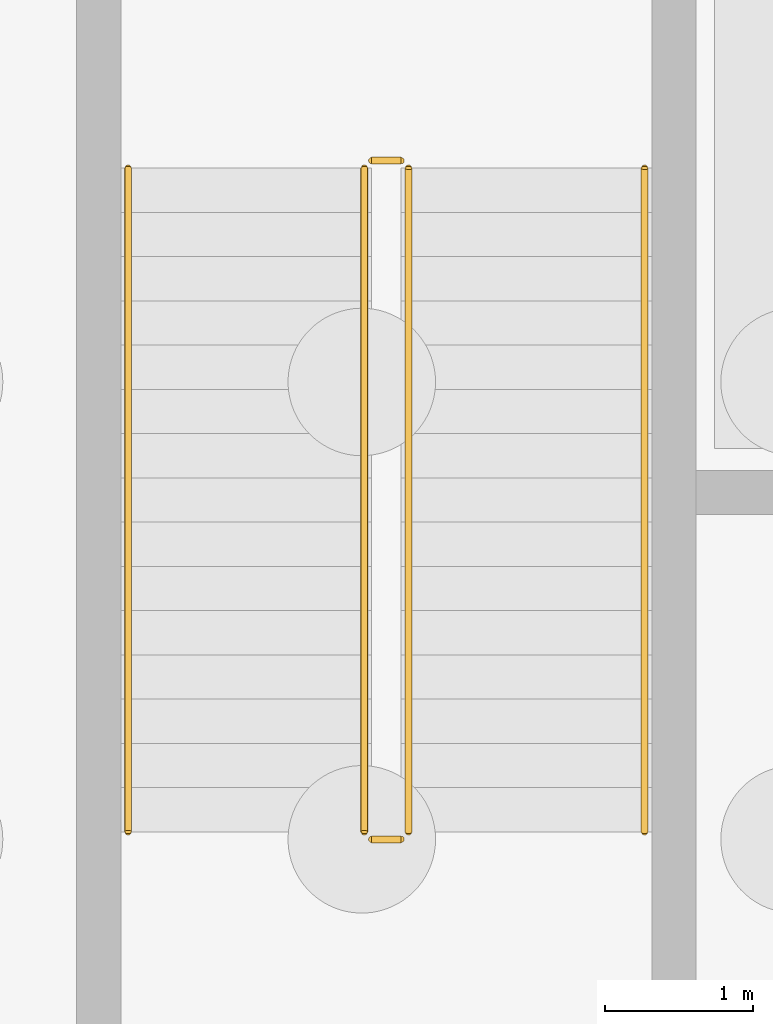
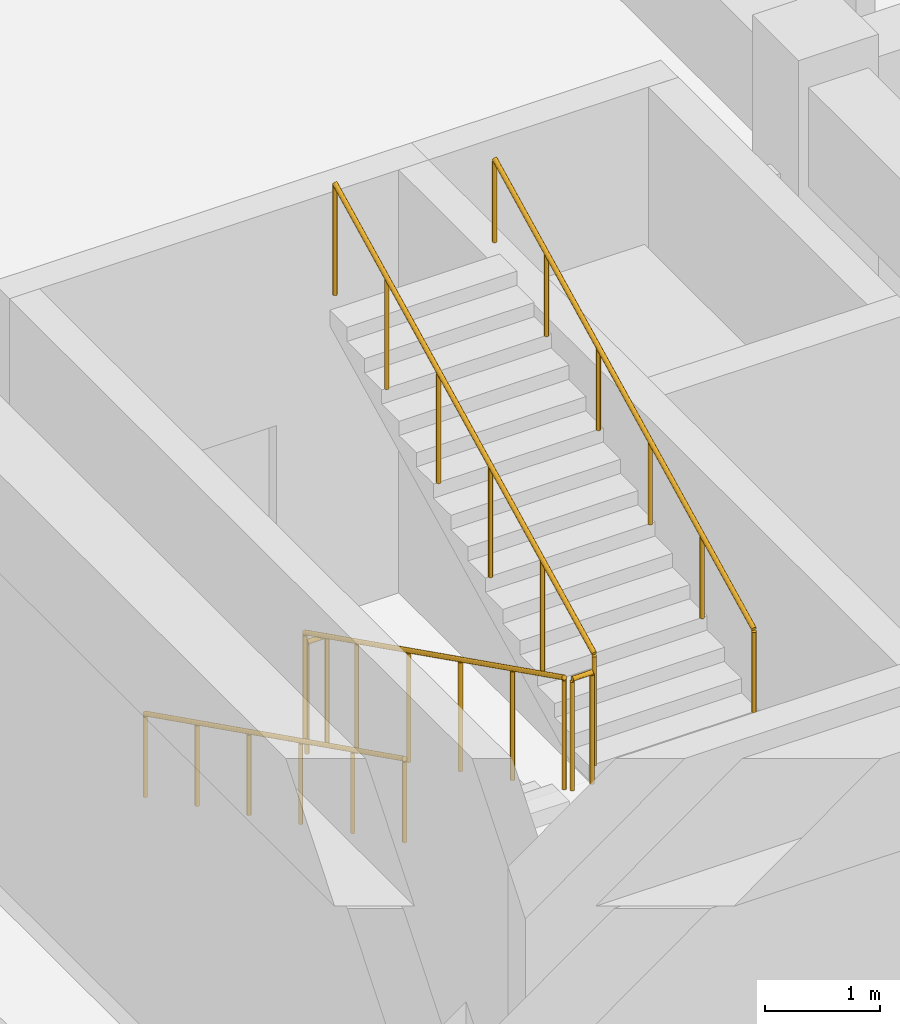
# One storey, part 15 of 16: 6 railings.
"""IFC4 building model written with IfcOpenShell, lengths in metres."""

import ifcopenshell
import ifcopenshell.guid

model = None  # the IFC model being written
_history = None  # IfcOwnerHistory: only IFC2X3 demands one
_inside = {}  # id of a spatial element -> (the spatial element, [elements in it])
_under = {}  # id of a project, library or spatial element -> (it, [spatial elements below it])
_declared = {}  # id of a project -> (the project, [libraries it declares])
_typed = {}  # id of a type object -> (the type object, [elements of that type])
_made_of = {}  # id of a material, layer set ... -> (it, [elements and type objects made of it])


def new_model(schema):
    """Start an empty IFC model of exactly this schema.

    Asked for "IFC4X3", IfcOpenShell would pick the latest addendum, in which some entities
    have other attributes; the version numbers below select the first issue.
    IFC2X3 requires an IfcOwnerHistory on every rooted entity: one is made here for all.
    """
    global model, _history
    if schema == "IFC4X3":
        model = ifcopenshell.file(schema_version=(4, 3, 0, 0))
    else:
        model = ifcopenshell.file(schema=schema)
    _inside.clear()
    _under.clear()
    _declared.clear()
    _typed.clear()
    _made_of.clear()
    _history = None
    if model.schema == "IFC2X3":
        org = make("IfcOrganization", Name="unknown")
        user = make(
            "IfcPersonAndOrganization",
            ThePerson=make("IfcPerson", FamilyName="unknown"),
            TheOrganization=org,
        )
        app = make(
            "IfcApplication",
            ApplicationDeveloper=org,
            Version="unknown",
            ApplicationFullName="unknown",
            ApplicationIdentifier="unknown",
        )
        _history = make(
            "IfcOwnerHistory",
            OwningUser=user,
            OwningApplication=app,
            ChangeAction="ADDED",
            CreationDate=0,
        )
    return model


def make(cls, **values):
    """One entity of the class cls with the attributes given. An attribute that is None is left unset."""
    return model.create_entity(
        cls, **{name: value for name, value in values.items() if value is not None}
    )


def rooted(cls, **values):
    """An entity with a GlobalId (a new one), such as an element, a storey or a relation."""
    return make(cls, GlobalId=ifcopenshell.guid.new(), OwnerHistory=_history, **values)


def si_unit(unit_type, name, prefix=None):
    """IfcSIUnit, for example si_unit("LENGTHUNIT", "METRE", prefix="MILLI")."""
    return make("IfcSIUnit", UnitType=unit_type, Prefix=prefix, Name=name)


def assignment(units):
    """IfcUnitAssignment: the units of a project."""
    return None if units is None else make("IfcUnitAssignment", Units=units)


def point(xyz):
    """IfcCartesianPoint."""
    return None if xyz is None else make("IfcCartesianPoint", Coordinates=xyz)


def direction(xyz):
    """IfcDirection."""
    return None if xyz is None else make("IfcDirection", DirectionRatios=xyz)


def frame(location, z_axis=None, x_axis=None):
    """IfcAxis2Placement3D, a coordinate frame: its origin and axes. An axis left out is left unset."""
    return make(
        "IfcAxis2Placement3D",
        Location=point(location),
        Axis=direction(z_axis),
        RefDirection=direction(x_axis),
    )


def frame_2d(location, x_axis=None):
    """IfcAxis2Placement2D, a coordinate frame in the plane: its origin and x axis."""
    return make(
        "IfcAxis2Placement2D", Location=point(location), RefDirection=direction(x_axis)
    )


def origin():
    """The frame at (0, 0, 0) with its axes left unset."""
    return frame((0.0, 0.0, 0.0))


def origin_2d():
    """The frame at (0, 0) in the plane with its x axis left unset."""
    return frame_2d((0.0, 0.0))


def place(relative_to, where):
    """IfcLocalPlacement: puts the frame where relative to a parent placement (None: the world)."""
    return make(
        "IfcLocalPlacement", PlacementRelTo=relative_to, RelativePlacement=where
    )


def context(
    kind, dimensions, precision=None, world=None, true_north=None, identifier=None
):
    """IfcGeometricRepresentationContext, for example the 3D "Model" context."""
    return make(
        "IfcGeometricRepresentationContext",
        ContextIdentifier=identifier,
        ContextType=kind,
        CoordinateSpaceDimension=dimensions,
        Precision=precision,
        WorldCoordinateSystem=world,
        TrueNorth=true_north,
    )


def subcontext(parent, identifier, kind, view, scale=None):
    """IfcGeometricRepresentationSubContext, for example "Body" below "Model"."""
    return make(
        "IfcGeometricRepresentationSubContext",
        ContextIdentifier=identifier,
        ContextType=kind,
        ParentContext=parent,
        TargetScale=scale,
        TargetView=view,
    )


def project(units=None, contexts=None):
    """IfcProject with its units and contexts."""
    return rooted(
        "IfcProject",
        Name="project",
        RepresentationContexts=contexts,
        UnitsInContext=assignment(units),
    )


def spatial(cls, under=None, at=None, **own):
    """A site, building, storey or space (cls), placed at a placement, below another one or the project."""
    s = rooted(cls, ObjectPlacement=at, **own)
    if under is not None:
        _under.setdefault(under.id(), (under, []))[1].append(s)
    return s


def profile(cls, at=None, kind="AREA", **sizes):
    """A parametric profile (cls). Its sizes go by their IFC names, for example OverallWidth=200.0."""
    return make(cls, ProfileType=kind, Position=at, **sizes)


def circle(**sizes):
    """IfcCircleProfileDef."""
    return profile("IfcCircleProfileDef", **sizes)


def extrude(swept, where, along, depth):
    """IfcExtrudedAreaSolid: the profile swept, set in the frame where, extruded along a direction by depth."""
    return make(
        "IfcExtrudedAreaSolid",
        SweptArea=swept,
        Position=where,
        ExtrudedDirection=direction(along),
        Depth=depth,
    )


def shape(context_of_items, identifier, shape_type, items):
    """IfcShapeRepresentation: the items that make up one representation, for example the "Body"."""
    return make(
        "IfcShapeRepresentation",
        ContextOfItems=context_of_items,
        RepresentationIdentifier=identifier,
        RepresentationType=shape_type,
        Items=items,
    )


def material(Name=None, Category=None):
    """IfcMaterial."""
    return make("IfcMaterial", Name=Name, Category=Category)


def made_of(thing, what):
    """Note that an element or type object is made of a material, layer set ...; save() writes the relation."""
    if what is not None:
        _made_of.setdefault(what.id(), (what, []))[1].append(thing)
    return thing


def type_object(cls, material=None, **own):
    """A type object (cls), such as IfcWallType, which elements share."""
    return made_of(rooted(cls, **own), material)


def element(
    cls,
    number,
    at=None,
    inside=None,
    cuts=None,
    type_object=None,
    material=None,
    context=None,
    identifier="Body",
    shape_type=None,
    held_by="IfcProductDefinitionShape",
    body=None,
    shapes=None,
    **own,
):
    """One element of the class cls, such as IfcWall. Its Tag is "e" and its number.

    at: its placement. inside: the storey or other place that contains it. cuts: it is an
    opening in that element (IfcRelVoidsElement). A single representation is given by context,
    identifier, shape_type and body (its items); several are given by shapes. held_by: the class
    of the entity that holds the representations. save() writes the other relations.
    """
    e = rooted(cls, Tag="e%d" % number, ObjectPlacement=at, **own)
    if body is not None:
        shapes = [shape(context, identifier, shape_type, body)]
    if shapes is not None:
        e.Representation = make(held_by, Representations=shapes)
    if inside is not None:
        _inside.setdefault(inside.id(), (inside, []))[1].append(e)
    if cuts is not None:
        rooted(
            "IfcRelVoidsElement", RelatingBuildingElement=cuts, RelatedOpeningElement=e
        )
    if type_object is not None:
        _typed.setdefault(type_object.id(), (type_object, []))[1].append(e)
    return made_of(e, material)


def aggregate(whole, parts):
    """IfcRelAggregates: a whole, such as a stair, and the parts it consists of."""
    return rooted("IfcRelAggregates", RelatingObject=whole, RelatedObjects=parts)


def save(model, path):
    """Write the relations noted so far, then the file.

    IfcRelAggregates (storeys below a building ...), IfcRelContainedInSpatialStructure (elements
    in a storey), IfcRelDefinesByType, IfcRelAssociatesMaterial and IfcRelDeclares: one each for
    every whole, place, type object, material and project.
    """
    for whole, parts in _under.values():
        aggregate(whole, parts)
    for where, things in _inside.values():
        rooted(
            "IfcRelContainedInSpatialStructure",
            RelatedElements=things,
            RelatingStructure=where,
        )
    for kind, things in _typed.values():
        rooted("IfcRelDefinesByType", RelatedObjects=things, RelatingType=kind)
    for what, things in _made_of.values():
        rooted("IfcRelAssociatesMaterial", RelatedObjects=things, RelatingMaterial=what)
    for by, libraries in _declared.values():
        rooted("IfcRelDeclares", RelatingContext=by, RelatedDefinitions=libraries)
    model.write(path)


model = new_model("IFC4")

# Units and contexts
model_context = context("Model", 3, precision=1e-05, world=origin(), true_north=direction((0.0, 1.0)))
body_context = subcontext(model_context, "Body", "Model", "MODEL_VIEW")
ifc_project = project(units=[si_unit("LENGTHUNIT", "METRE"), si_unit("AREAUNIT", "SQUARE_METRE"), si_unit("VOLUMEUNIT", "CUBIC_METRE"), si_unit("PLANEANGLEUNIT", "RADIAN"), si_unit("MASSUNIT", "GRAM", prefix="KILO")], contexts=[model_context])

# Site, building, storey
site_placement = place(None, origin())
site = spatial("IfcSite", under=ifc_project, at=site_placement, CompositionType="ELEMENT")
building_placement = place(site_placement, origin())
building = spatial("IfcBuilding", under=site, at=building_placement, Name="Bozkorgan Art Gallery", CompositionType="ELEMENT")
storey_placement = place(building_placement, frame((0.0, 0.0, -4.800048828125)))
storey = spatial("IfcBuildingStorey", under=building, at=storey_placement, Name="B1", CompositionType="ELEMENT", Elevation=-4.800048828125)

# Railings
ifc_material = material(Name="Steel S355J2", Category="steel")
railing_type_1 = type_object("IfcRailingType", Name="RAIL-GRD-115", PredefinedType="GUARDRAIL", material=ifc_material)
railing_1_placement = place(storey_placement, frame((140.050048828125, 82.949951171875, 0.150146484375)))
element("IfcRailing", 1, at=railing_1_placement, inside=storey, type_object=railing_type_1, Name="B1 ST3 stair guard 1", PredefinedType="GUARDRAIL", context=body_context, shape_type="SweptSolid", body=[
    extrude(circle(Radius=0.02392578125, at=origin_2d()), frame((0.0, 0.0, 1.17578125), z_axis=(0.0, -0.894427191, 0.4472135955), x_axis=(1.0, 0.0, 0.0)), (0.0, 0.0, 1.0), 5.03125),
    extrude(circle(Radius=0.02099609375, at=origin_2d()), origin(), (0.0, 0.0, 1.0), 1.15185546875),
    extrude(circle(Radius=0.02099609375, at=origin_2d()), frame((0.0, -0.89990234375, 0.449951171875)), (0.0, 0.0, 1.0), 1.15185546875),
    extrude(circle(Radius=0.02099609375, at=origin_2d()), frame((0.0, -1.800048828125, 0.89990234375)), (0.0, 0.0, 1.0), 1.15185546875),
    extrude(circle(Radius=0.02099609375, at=origin_2d()), frame((0.0, -2.699951171875, 1.35009765625)), (0.0, 0.0, 1.0), 1.15185546875),
    extrude(circle(Radius=0.02099609375, at=origin_2d()), frame((0.0, -3.60009765625, 1.800048828125)), (0.0, 0.0, 1.0), 1.15185546875),
    extrude(circle(Radius=0.02099609375, at=origin_2d()), frame((0.0, -4.5, 2.25)), (0.0, 0.0, 1.0), 1.15185546875),
])
railing_2_placement = place(storey_placement, frame((140.10009765625, 78.39990234375, 2.400146484375)))
element("IfcRailing", 2, at=railing_2_placement, inside=storey, type_object=railing_type_1, Name="B1 ST3 stair guard 2", PredefinedType="GUARDRAIL", context=body_context, shape_type="SweptSolid", body=[
    extrude(circle(Radius=0.02392578125, at=origin_2d()), frame((0.0, 0.0, 1.17578125), z_axis=(1.0, 0.0, 0.0), x_axis=(0.0, 1.0, 0.0)), (0.0, 0.0, 1.0), 0.199951171875),
    extrude(circle(Radius=0.02099609375, at=origin_2d()), origin(), (0.0, 0.0, 1.0), 1.15185546875),
    extrude(circle(Radius=0.02099609375, at=origin_2d()), frame((0.199951171875, 0.0, 0.0)), (0.0, 0.0, 1.0), 1.15185546875),
])
railing_3_placement = place(storey_placement, frame((140.35009765625, 78.449951171875, 2.550048828125)))
element("IfcRailing", 3, at=railing_3_placement, inside=storey, type_object=railing_type_1, Name="B1 ST3 stair guard 3", PredefinedType="GUARDRAIL", context=body_context, shape_type="SweptSolid", body=[
    extrude(circle(Radius=0.02392578125, at=origin_2d()), frame((0.0, 0.0, 1.17578125), z_axis=(0.0, 0.894427191, 0.4472135955), x_axis=(-1.0, 0.0, 0.0)), (0.0, 0.0, 1.0), 5.03125),
    extrude(circle(Radius=0.02099609375, at=origin_2d()), origin(), (0.0, 0.0, 1.0), 1.15185546875),
    extrude(circle(Radius=0.02099609375, at=origin_2d()), frame((0.0, 0.89990234375, 0.449951171875)), (0.0, 0.0, 1.0), 1.15185546875),
    extrude(circle(Radius=0.02099609375, at=origin_2d()), frame((0.0, 1.800048828125, 0.89990234375)), (0.0, 0.0, 1.0), 1.15185546875),
    extrude(circle(Radius=0.02099609375, at=origin_2d()), frame((0.0, 2.699951171875, 1.35009765625)), (0.0, 0.0, 1.0), 1.15185546875),
    extrude(circle(Radius=0.02099609375, at=origin_2d()), frame((0.0, 3.60009765625, 1.800048828125)), (0.0, 0.0, 1.0), 1.15185546875),
    extrude(circle(Radius=0.02099609375, at=origin_2d()), frame((0.0, 4.5, 2.25)), (0.0, 0.0, 1.0), 1.15185546875),
])
railing_4_placement = place(storey_placement, frame((140.10009765625, 83.0, 0.0)))
element("IfcRailing", 4, at=railing_4_placement, inside=storey, type_object=railing_type_1, Name="B1 ST3 stair guard 4", PredefinedType="GUARDRAIL", context=body_context, shape_type="SweptSolid", body=[
    extrude(circle(Radius=0.02392578125, at=origin_2d()), frame((0.0, 0.0, 1.17578125), z_axis=(1.0, 0.0, 0.0), x_axis=(0.0, 1.0, 0.0)), (0.0, 0.0, 1.0), 0.199951171875),
    extrude(circle(Radius=0.02099609375, at=origin_2d()), origin(), (0.0, 0.0, 1.0), 1.15185546875),
    extrude(circle(Radius=0.02099609375, at=origin_2d()), frame((0.199951171875, 0.0, 0.0)), (0.0, 0.0, 1.0), 1.15185546875),
])
railing_type_2 = type_object("IfcRailingType", Name="RAIL-HND-092", PredefinedType="HANDRAIL", material=ifc_material)
railing_5_placement = place(storey_placement, frame((138.449951171875, 82.949951171875, 0.150146484375)))
element("IfcRailing", 5, at=railing_5_placement, inside=storey, type_object=railing_type_2, Name="B1 ST3 stair handrail 1", PredefinedType="HANDRAIL", context=body_context, shape_type="SweptSolid", body=[
    extrude(circle(Radius=0.02392578125, at=origin_2d()), frame((0.0, 0.0, 0.8759765625), z_axis=(0.0, -0.894427191, 0.4472135955), x_axis=(1.0, 0.0, 0.0)), (0.0, 0.0, 1.0), 5.03125),
    extrude(circle(Radius=0.02099609375, at=origin_2d()), origin(), (0.0, 0.0, 1.0), 0.851806640625),
    extrude(circle(Radius=0.02099609375, at=origin_2d()), frame((0.0, -0.89990234375, 0.449951171875)), (0.0, 0.0, 1.0), 0.851806640625),
    extrude(circle(Radius=0.02099609375, at=origin_2d()), frame((0.0, -1.800048828125, 0.89990234375)), (0.0, 0.0, 1.0), 0.851806640625),
    extrude(circle(Radius=0.02099609375, at=origin_2d()), frame((0.0, -2.699951171875, 1.35009765625)), (0.0, 0.0, 1.0), 0.851806640625),
    extrude(circle(Radius=0.02099609375, at=origin_2d()), frame((0.0, -3.60009765625, 1.800048828125)), (0.0, 0.0, 1.0), 0.851806640625),
    extrude(circle(Radius=0.02099609375, at=origin_2d()), frame((0.0, -4.5, 2.25)), (0.0, 0.0, 1.0), 0.851806640625),
])
railing_6_placement = place(storey_placement, frame((141.949951171875, 78.449951171875, 2.550048828125)))
element("IfcRailing", 6, at=railing_6_placement, inside=storey, type_object=railing_type_2, Name="B1 ST3 stair handrail 2", PredefinedType="HANDRAIL", context=body_context, shape_type="SweptSolid", body=[
    extrude(circle(Radius=0.02392578125, at=origin_2d()), frame((0.0, 0.0, 0.8759765625), z_axis=(0.0, 0.894427191, 0.4472135955), x_axis=(-1.0, 0.0, 0.0)), (0.0, 0.0, 1.0), 5.03125),
    extrude(circle(Radius=0.02099609375, at=origin_2d()), origin(), (0.0, 0.0, 1.0), 0.851806640625),
    extrude(circle(Radius=0.02099609375, at=origin_2d()), frame((0.0, 0.89990234375, 0.449951171875)), (0.0, 0.0, 1.0), 0.851806640625),
    extrude(circle(Radius=0.02099609375, at=origin_2d()), frame((0.0, 1.800048828125, 0.89990234375)), (0.0, 0.0, 1.0), 0.851806640625),
    extrude(circle(Radius=0.02099609375, at=origin_2d()), frame((0.0, 2.699951171875, 1.35009765625)), (0.0, 0.0, 1.0), 0.851806640625),
    extrude(circle(Radius=0.02099609375, at=origin_2d()), frame((0.0, 3.60009765625, 1.800048828125)), (0.0, 0.0, 1.0), 0.851806640625),
    extrude(circle(Radius=0.02099609375, at=origin_2d()), frame((0.0, 4.5, 2.25)), (0.0, 0.0, 1.0), 0.851806640625),
])

save(model, "model.ifc")
